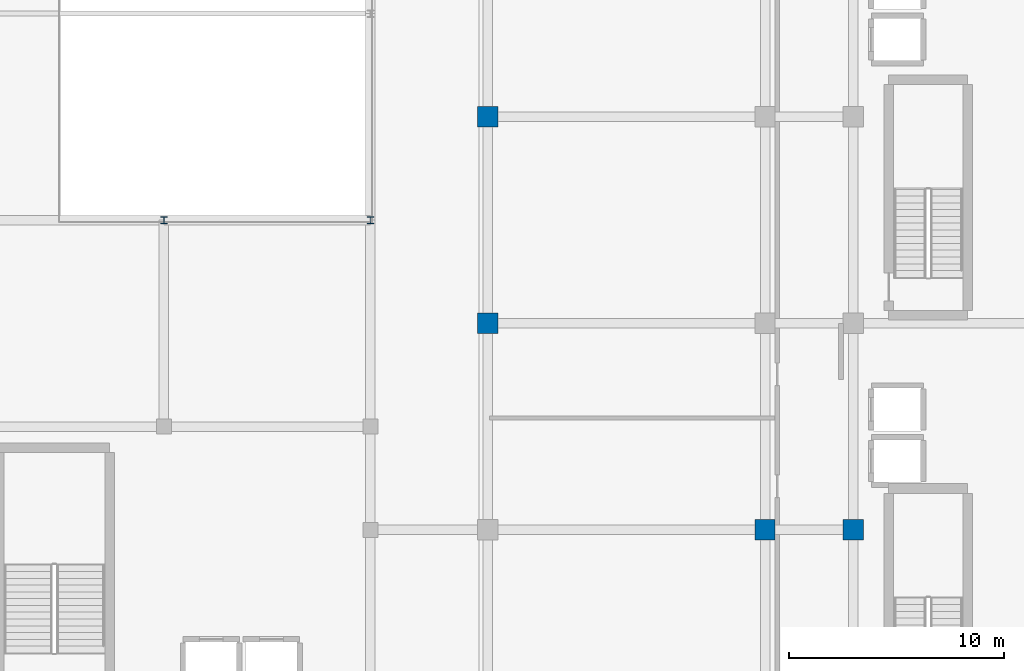
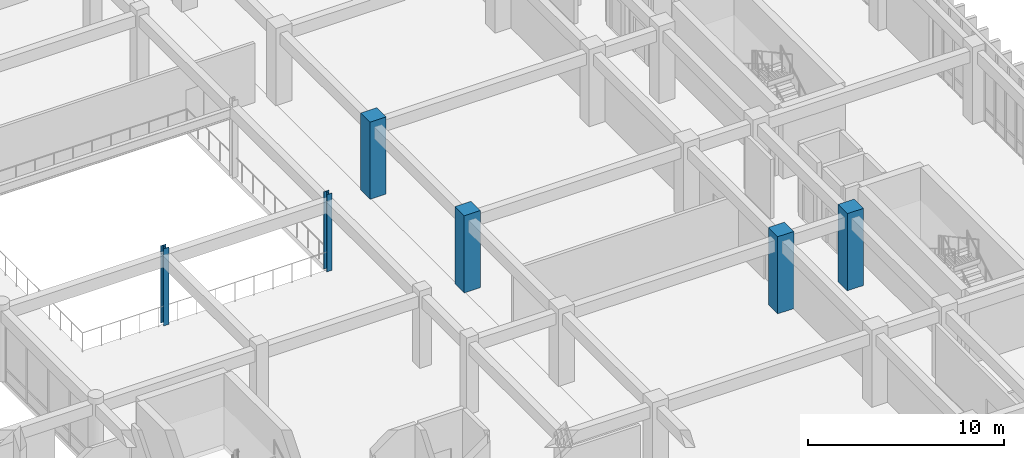
# One storey, part 3 of 133: 6 columns.
"""IFC4 building model written with IfcOpenShell, lengths in metres."""

from ifc_helpers import new_model, si_unit, direction, frame, origin, origin_2d, place, context, subcontext, project, spatial, rectangle, i_section, extrude, material, material_profile, profile_set, type_object, element, save


model = new_model("IFC4")

# Units and contexts
model_context = context("Model", 3, precision=1e-05, world=origin(), true_north=direction((0.0, 1.0)))
body_context = subcontext(model_context, "Body", "Model", "MODEL_VIEW")
ifc_project = project(units=[si_unit("LENGTHUNIT", "METRE"), si_unit("AREAUNIT", "SQUARE_METRE"), si_unit("VOLUMEUNIT", "CUBIC_METRE"), si_unit("PLANEANGLEUNIT", "RADIAN"), si_unit("MASSUNIT", "GRAM", prefix="KILO")], contexts=[model_context])

# Site, building, storey
site_placement = place(None, origin())
site = spatial("IfcSite", under=ifc_project, at=site_placement, CompositionType="ELEMENT")
building_placement = place(site_placement, origin())
building = spatial("IfcBuilding", under=site, at=building_placement, Name="Nakhvara Creek Congress Hotel", CompositionType="ELEMENT")
storey_placement = place(building_placement, frame((0.0, 0.0, 11.39990234375)))
storey = spatial("IfcBuildingStorey", under=building, at=storey_placement, Name="L02", CompositionType="ELEMENT", Elevation=11.39990234375)

# Columns
ifc_material_1 = material(Name="Concrete C50/60", Category="concrete")
ifc_material_profile_1 = material_profile(ifc_material_1, rectangle(XDim=0.949951171875, YDim=0.949951171875, at=origin_2d()), Name="RC-COL 950x950", Category="LoadBearing")
ifc_profile_set_1 = profile_set([ifc_material_profile_1], Name="Concrete C50/60")
column_type_1 = type_object("IfcColumnType", Name="COL-RC-950", PredefinedType="COLUMN", material=ifc_profile_set_1)
for number, where, z_axis, x_axis, name in (
    (1, (149.449951171875, 48.0, 0.0), (0.0, 0.0, 1.0), (1.0, 0.0, 0.0), "Column C17-L02-1163"),
    (2, (149.449951171875, 57.60009765625, 0.0), (0.0, 0.0, 1.0), (1.0, 0.0, 0.0), "Column C17-L02-1164"),
    (3, (162.35009765625, 38.39990234375, 0.0), (0.0, 0.0, 1.0), (1.0, 0.0, 0.0), "Column C17-L02-1176"),
    (4, (166.449951171875, 38.39990234375, 0.0), (0.0, 0.0, 1.0), (1.0, 0.0, 0.0), "Column C17-L02-1190"),
):
    element("IfcColumn", number, at=place(storey_placement, frame(where, z_axis=z_axis, x_axis=x_axis)), inside=storey, type_object=column_type_1, Name=name, PredefinedType="COLUMN", context=body_context, shape_type="SweptSolid", body=[
        extrude(rectangle(XDim=0.949951171875, YDim=0.949951171875, at=origin_2d()), origin(), (0.0, 0.0, 1.0), 4.800048828125),
    ])
ifc_material_2 = material(Name="Steel S355J2", Category="steel")
ifc_material_profile_2 = material_profile(ifc_material_2, i_section(OverallWidth=0.307373046875, OverallDepth=0.314453125, WebThickness=0.011962890625, FlangeThickness=0.018798828125, FilletRadius=0.01513671875, at=origin_2d()), Name="UC 305x305x118", Category="LoadBearing")
ifc_profile_set_2 = profile_set([ifc_material_profile_2], Name="Steel S355J2")
column_type_2 = type_object("IfcColumnType", Name="COL-ST-UC305", PredefinedType="COLUMN", material=ifc_profile_set_2)
for number, where, z_axis, x_axis, name in (
    (5, (134.39990234375, 52.800048828125, 0.0), (0.0, 0.0, 1.0), (1.0, 0.0, 0.0), "Column CS2-L02-1141"),
    (6, (144.0, 52.800048828125, 0.0), (0.0, 0.0, 1.0), (1.0, 0.0, 0.0), "Column CS2-L02-1152"),
):
    element("IfcColumn", number, at=place(storey_placement, frame(where, z_axis=z_axis, x_axis=x_axis)), inside=storey, type_object=column_type_2, Name=name, PredefinedType="COLUMN", context=body_context, shape_type="SweptSolid", body=[
        extrude(i_section(OverallWidth=0.307373046875, OverallDepth=0.314453125, WebThickness=0.011962890625, FlangeThickness=0.018798828125, FilletRadius=0.01513671875, at=origin_2d()), origin(), (0.0, 0.0, 1.0), 4.800048828125),
    ])

save(model, "model.ifc")
